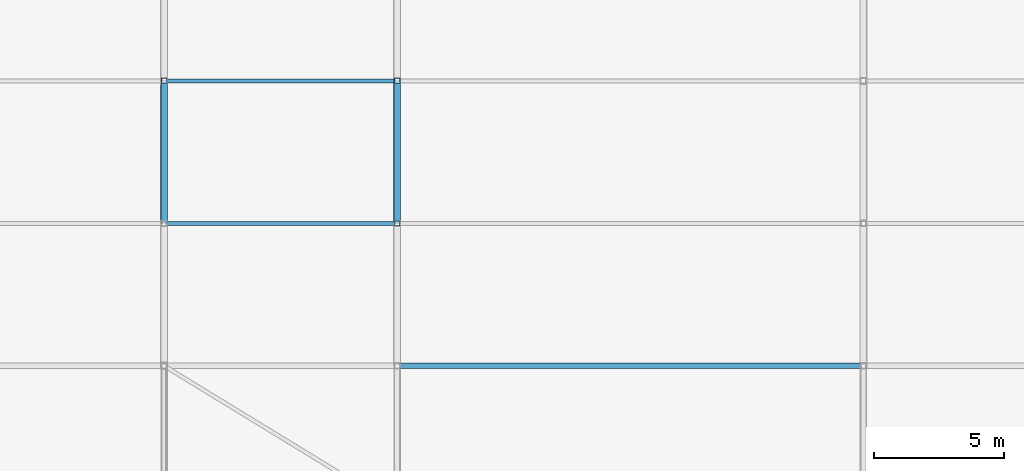
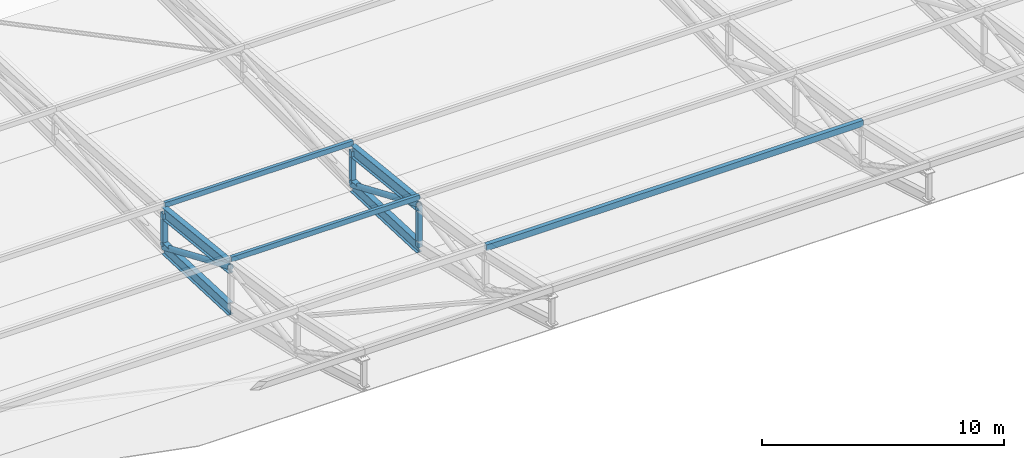
# One storey, part 37 of 114: 8 members, 4 beams.
"""IFC4 building model written with IfcOpenShell, lengths in metres."""

from ifc_helpers import new_model, si_unit, direction, frame, origin, origin_2d, place, context, subcontext, project, spatial, hollow_rectangle, hollow_circle, i_section, extrude, material, material_profile, profile_set, type_object, element, save


model = new_model("IFC4")

# Units and contexts
model_context = context("Model", 3, precision=1e-05, world=origin(), true_north=direction((0.0, 1.0)))
body_context = subcontext(model_context, "Body", "Model", "MODEL_VIEW")
ifc_project = project(units=[si_unit("LENGTHUNIT", "METRE"), si_unit("AREAUNIT", "SQUARE_METRE"), si_unit("VOLUMEUNIT", "CUBIC_METRE"), si_unit("PLANEANGLEUNIT", "RADIAN"), si_unit("MASSUNIT", "GRAM", prefix="KILO"), si_unit("THERMODYNAMICTEMPERATUREUNIT", "KELVIN"), si_unit("POWERUNIT", "WATT")], contexts=[model_context])

# Site, building, storey
site_placement = place(None, origin())
site = spatial("IfcSite", under=ifc_project, at=site_placement, CompositionType="ELEMENT")
building_placement = place(site_placement, origin())
building = spatial("IfcBuilding", under=site, at=building_placement, Name="Sindhuravela Promenade Stadium", CompositionType="ELEMENT")
storey_placement = place(building_placement, frame((0.0, 0.0, 24.0)))
storey = spatial("IfcBuildingStorey", under=building, at=storey_placement, Name="L05", CompositionType="ELEMENT", Elevation=24.0)

# Beams
ifc_material = material(Name="Steel E350 (IS 2062 E350BR)", Category="steel")
ifc_material_profile_1 = material_profile(ifc_material, i_section(OverallWidth=0.25, OverallDepth=0.60009765625, WebThickness=0.01171875, FlangeThickness=0.023681640625, FilletRadius=0.01708984375, at=origin_2d()), Name="ISWB 600")
ifc_profile_set_1 = profile_set([ifc_material_profile_1], Name="Steel E350 (IS 2062 E350BR)")
beam_type = type_object("IfcBeamType", Name="ST-BM-WB600", PredefinedType="USERDEFINED", material=ifc_profile_set_1)
beam_1_placement = place(storey_placement, frame((99.0, 135.0, 1.76318359375), z_axis=(0.0, -0.9943078180575428, 0.1065455909441987), x_axis=(1.0, 0.0, 0.0)))
element("IfcBeam", 1, at=beam_1_placement, inside=storey, type_object=beam_type, Name="Roof truss RT-N04 top chord 3", ObjectType="ROOF TRUSS", PredefinedType="USERDEFINED", context=body_context, shape_type="SweptSolid", body=[
    extrude(i_section(OverallWidth=0.25, OverallDepth=0.60009765625, WebThickness=0.01171875, FlangeThickness=0.023681640625, FilletRadius=0.01708984375, at=origin_2d()), origin(), (0.0, 0.0, 1.0), 5.531494140625),
])
beam_2_placement = place(storey_placement, frame((99.0, 135.0, 0.0), z_axis=(0.0, -0.9991453279387894, 0.04133538022189949), x_axis=(1.0, 0.0, 0.0)))
element("IfcBeam", 2, at=beam_2_placement, inside=storey, type_object=beam_type, Name="Roof truss RT-N04 bottom chord 3", ObjectType="ROOF TRUSS", PredefinedType="USERDEFINED", context=body_context, shape_type="SweptSolid", body=[
    extrude(i_section(OverallWidth=0.25, OverallDepth=0.60009765625, WebThickness=0.01171875, FlangeThickness=0.023681640625, FilletRadius=0.01708984375, at=origin_2d()), origin(), (0.0, 0.0, 1.0), 5.504638671875),
])
beam_3_placement = place(storey_placement, frame((108.0, 135.0, 1.76318359375), z_axis=(0.0, -0.9943078180575428, 0.1065455909441987), x_axis=(1.0, 0.0, 0.0)))
element("IfcBeam", 3, at=beam_3_placement, inside=storey, type_object=beam_type, Name="Roof truss RT-N05 top chord 3", ObjectType="ROOF TRUSS", PredefinedType="USERDEFINED", context=body_context, shape_type="SweptSolid", body=[
    extrude(i_section(OverallWidth=0.25, OverallDepth=0.60009765625, WebThickness=0.01171875, FlangeThickness=0.023681640625, FilletRadius=0.01708984375, at=origin_2d()), origin(), (0.0, 0.0, 1.0), 5.531494140625),
])
beam_4_placement = place(storey_placement, frame((108.0, 135.0, 0.0), z_axis=(0.0, -0.9991453279387894, 0.04133538022189949), x_axis=(1.0, 0.0, 0.0)))
element("IfcBeam", 4, at=beam_4_placement, inside=storey, type_object=beam_type, Name="Roof truss RT-N05 bottom chord 3", ObjectType="ROOF TRUSS", PredefinedType="USERDEFINED", context=body_context, shape_type="SweptSolid", body=[
    extrude(i_section(OverallWidth=0.25, OverallDepth=0.60009765625, WebThickness=0.01171875, FlangeThickness=0.023681640625, FilletRadius=0.01708984375, at=origin_2d()), origin(), (0.0, 0.0, 1.0), 5.504638671875),
])

# Members
ifc_material_profile_2 = material_profile(ifc_material, hollow_circle(Radius=0.136474609375, WallThickness=0.010009765625, at=origin_2d()), Name="CHS 273.0x10")
ifc_profile_set_2 = profile_set([ifc_material_profile_2], Name="Steel E350 (IS 2062 E350BR)")
member_type_1 = type_object("IfcMemberType", Name="ST-MB-CHS273", PredefinedType="BRACE", material=ifc_profile_set_2)
for number, where, z_axis, x_axis, name in (
    (5, (99.0, 135.0, 0.0), (0.0, -0.9194234507496676, 0.3932690150667524), (1.0, 0.0, 0.0), "Roof truss RT-N04 diagonal web 3"),
    (6, (108.0, 135.0, 0.0), (0.0, -0.9194234507496676, 0.3932690150667524), (1.0, 0.0, 0.0), "Roof truss RT-N05 diagonal web 3"),
):
    element("IfcMember", number, at=place(storey_placement, frame(where, z_axis=z_axis, x_axis=x_axis)), inside=storey, type_object=member_type_1, Name=name, PredefinedType="BRACE", context=body_context, shape_type="SweptSolid", body=[
        extrude(hollow_circle(Radius=0.136474609375, WallThickness=0.010009765625, at=origin_2d()), origin(), (0.0, 0.0, 1.0), 5.98193359375),
    ])
ifc_material_profile_3 = material_profile(ifc_material, hollow_rectangle(XDim=0.14990234375, YDim=0.25, WallThickness=0.010009765625, at=origin_2d()), Name="RHS 250x150x10")
ifc_profile_set_3 = profile_set([ifc_material_profile_3], Name="Steel E350 (IS 2062 E350BR)")
member_type_2 = type_object("IfcMemberType", Name="ST-MB-RHS250", PredefinedType="PURLIN", material=ifc_profile_set_3)
for number, where, z_axis, x_axis, name in (
    (7, (99.0, 135.0, 2.1552734375), (1.0, 0.0, 0.0), (0.0, 1.0, 0.0), "Roof purlin PR01 N bay 4.3"),
    (8, (99.0, 129.5, 2.744384765625), (1.0, 0.0, 0.0), (0.0, 1.0, 0.0), "Roof purlin PR01 N bay 4.4"),
):
    element("IfcMember", number, at=place(storey_placement, frame(where, z_axis=z_axis, x_axis=x_axis)), inside=storey, type_object=member_type_2, Name=name, PredefinedType="PURLIN", context=body_context, shape_type="SweptSolid", body=[
        extrude(hollow_rectangle(XDim=0.14990234375, YDim=0.25, WallThickness=0.010009765625, at=origin_2d()), origin(), (0.0, 0.0, 1.0), 9.0),
    ])
ifc_material_profile_4 = material_profile(ifc_material, hollow_rectangle(XDim=0.199951171875, YDim=0.300048828125, WallThickness=0.010009765625, at=origin_2d()), Name="RHS 300x200x10")
ifc_profile_set_4 = profile_set([ifc_material_profile_4], Name="Steel E350 (IS 2062 E350BR)")
member_type_3 = type_object("IfcMemberType", Name="ST-MB-RHS300", PredefinedType="PURLIN", material=ifc_profile_set_4)
member_1_placement = place(storey_placement, frame((108.0, 124.0, 3.5361328125), z_axis=(1.0, 0.0, 0.0), x_axis=(0.0, 1.0, 0.0)))
element("IfcMember", 9, at=member_1_placement, inside=storey, type_object=member_type_3, Name="Roof purlin PR02 N bay 5.5", PredefinedType="PURLIN", context=body_context, shape_type="SweptSolid", body=[
    extrude(hollow_rectangle(XDim=0.199951171875, YDim=0.300048828125, WallThickness=0.010009765625, at=origin_2d()), origin(), (0.0, 0.0, 1.0), 18.0),
])
ifc_material_profile_5 = material_profile(ifc_material, hollow_rectangle(XDim=0.199951171875, YDim=0.199951171875, WallThickness=0.010009765625, at=origin_2d()), Name="SHS 200x200x10")
ifc_profile_set_5 = profile_set([ifc_material_profile_5], Name="Steel E350 (IS 2062 E350BR)")
member_type_4 = type_object("IfcMemberType", Name="ST-MB-SHS200", PredefinedType="POST", material=ifc_profile_set_5)
member_2_placement = place(storey_placement, frame((108.0, 129.5, 0.2275390625), z_axis=(0.0, 0.0, 1.0), x_axis=(1.0, 0.0, 0.0)))
element("IfcMember", 10, at=member_2_placement, inside=storey, type_object=member_type_4, Name="Roof truss RT-N05 vertical post 4", PredefinedType="POST", context=body_context, shape_type="SweptSolid", body=[
    extrude(hollow_rectangle(XDim=0.199951171875, YDim=0.199951171875, WallThickness=0.010009765625, at=origin_2d()), origin(), (0.0, 0.0, 1.0), 2.125),
])
ifc_material_profile_6 = material_profile(ifc_material, hollow_rectangle(XDim=0.219970703125, YDim=0.219970703125, WallThickness=0.011962890625, at=origin_2d()), Name="SHS 220x220x12")
ifc_profile_set_6 = profile_set([ifc_material_profile_6], Name="Steel E350 (IS 2062 E350BR)")
member_type_5 = type_object("IfcMemberType", Name="ST-MB-SHS220", PredefinedType="POST", material=ifc_profile_set_6)
for number, where, z_axis, x_axis, name in (
    (11, (99.0, 135.0, 0.0), (0.0, 0.0, 1.0), (1.0, 0.0, 0.0), "Roof truss RT-N04 vertical post 3"),
    (12, (108.0, 135.0, 0.0), (0.0, 0.0, 1.0), (1.0, 0.0, 0.0), "Roof truss RT-N05 vertical post 3"),
):
    element("IfcMember", number, at=place(storey_placement, frame(where, z_axis=z_axis, x_axis=x_axis)), inside=storey, type_object=member_type_5, Name=name, PredefinedType="POST", context=body_context, shape_type="SweptSolid", body=[
        extrude(hollow_rectangle(XDim=0.219970703125, YDim=0.219970703125, WallThickness=0.011962890625, at=origin_2d()), origin(), (0.0, 0.0, 1.0), 1.76318359375),
    ])

save(model, "model.ifc")
